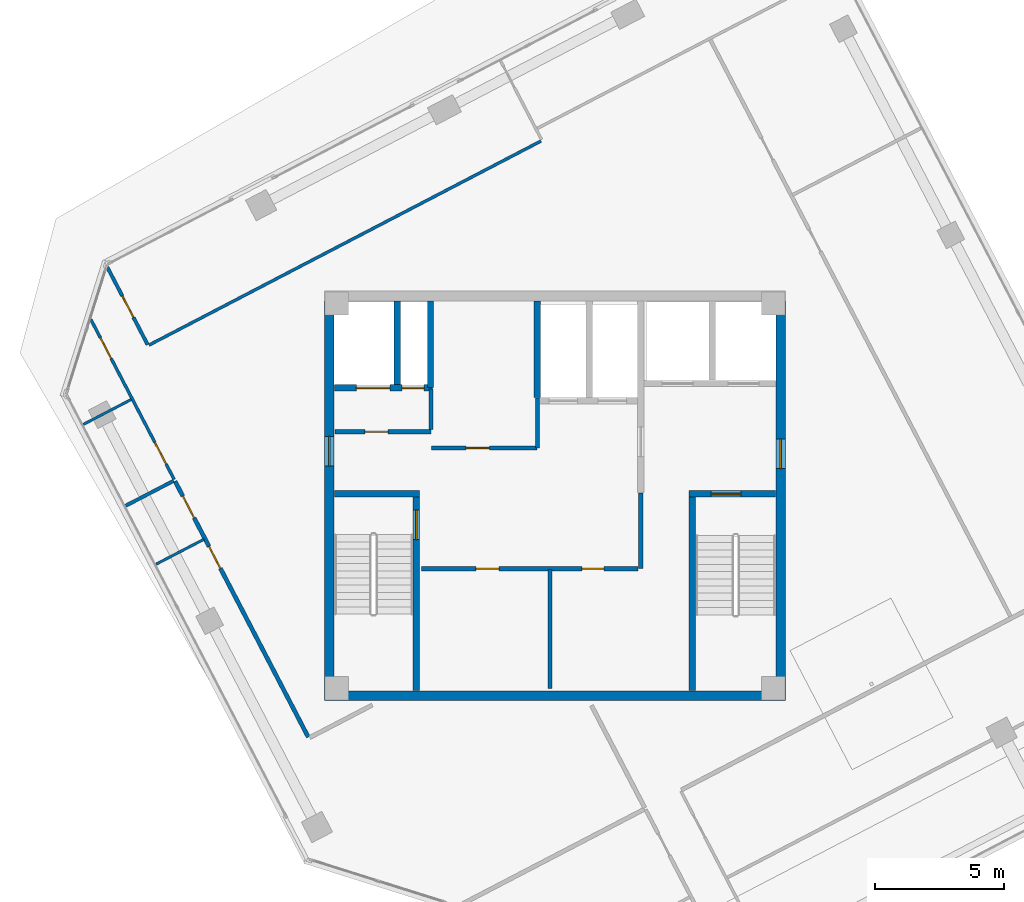
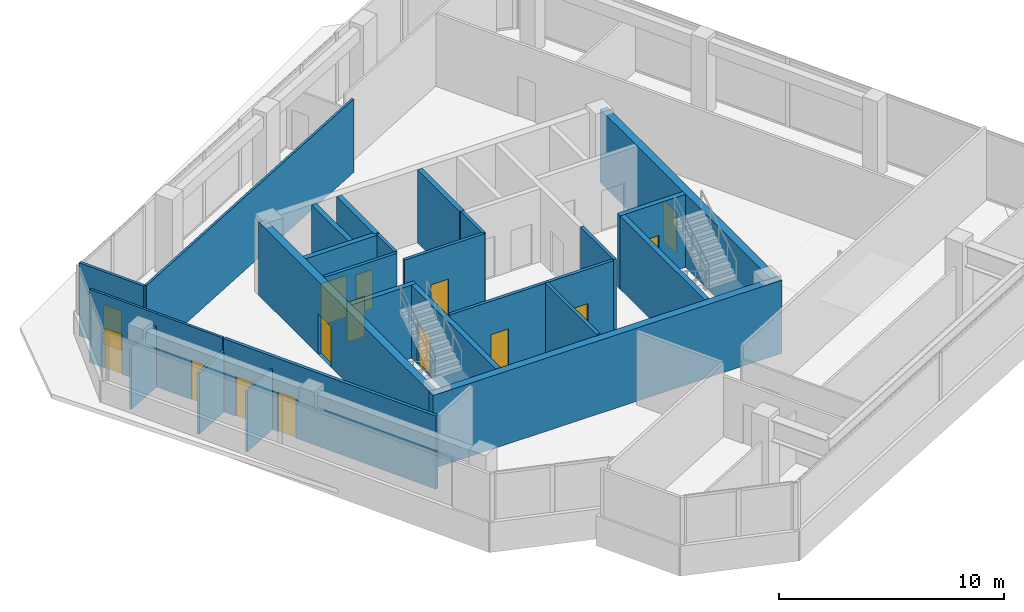
# One storey, part 11 of 16: 25 walls, 15 doors, 15 openings.
"""IFC4 building model written with IfcOpenShell, lengths in metres."""

from ifc_helpers import new_model, si_unit, direction, frame, frame_2d, origin, place, context, subcontext, project, spatial, rectangle, extrude, source, transform, mapped, material, layer, layer_set, type_object, element, fill, save


model = new_model("IFC4")

# Units and contexts
model_context = context("Model", 3, precision=1e-05, world=origin(), true_north=direction((0.0, 1.0)))
body_context = subcontext(model_context, "Body", "Model", "MODEL_VIEW")
ifc_project = project(units=[si_unit("LENGTHUNIT", "METRE"), si_unit("AREAUNIT", "SQUARE_METRE"), si_unit("VOLUMEUNIT", "CUBIC_METRE"), si_unit("PLANEANGLEUNIT", "RADIAN"), si_unit("MASSUNIT", "GRAM", prefix="KILO")], contexts=[model_context])

# Site, building, storey
site_placement = place(None, origin())
site = spatial("IfcSite", under=ifc_project, at=site_placement, CompositionType="ELEMENT")
building_placement = place(site_placement, origin())
building = spatial("IfcBuilding", under=site, at=building_placement, Name="Torre Montelarca", CompositionType="ELEMENT")
storey_placement = place(building_placement, frame((0.0, 0.0, 328.199951171875)))
storey = spatial("IfcBuildingStorey", under=building, at=storey_placement, Name="L74", CompositionType="ELEMENT", Elevation=328.199951171875)

# Wall, opening, door
ifc_material_1 = material(Name="Concrete C40/50", Category="concrete")
ifc_layer_1 = layer(ifc_material_1, 0.25, Name="Concrete C40/50", Category="concrete")
ifc_layer_set_1 = layer_set([ifc_layer_1], Name="Concrete C40/50")
wall_type_1 = type_object("IfcWallType", Name="CW-SHAFT-250", PredefinedType="SHEAR", material=ifc_layer_set_1)
wall_1_placement = place(storey_placement, frame((12.625, 24.4599609375, 0.0), z_axis=(0.0, 0.0, 1.0), x_axis=(0.0, 1.0, 0.0)))
wall_1 = element("IfcWall", 1, at=wall_1_placement, inside=storey, type_object=wall_type_1, Name="L74 Core Shear Wall SH-ST1-E", PredefinedType="SHEAR", context=body_context, shape_type="SweptSolid", body=[
    extrude(rectangle(XDim=7.489990234375, YDim=0.25, at=frame_2d((3.7451171875, 0.0))), origin(), (0.0, 0.0, 1.0), 3.9599609375),
])
opening_1_placement = place(wall_1_placement, frame((5.85009765625, 0.0, 0.0)))
opening_1 = element("IfcOpeningElement", 2, at=opening_1_placement, cuts=wall_1, Name="Opening FD-ST1", PredefinedType="OPENING", context=body_context, shape_type="SweptSolid", body=[
    extrude(rectangle(XDim=1.14990234375, YDim=2.199951171875, at=frame_2d((0.574951171875, 1.10009765625))), frame((0.0, 0.135009765625, 0.0), z_axis=(0.0, -1.0, 0.0), x_axis=(1.0, 0.0, 0.0)), (0.0, 0.0, 1.0), 0.27001953125),
])
ifc_material_2 = material(Name="Galvanized steel fire door", Category="steel")
door_type_1 = type_object("IfcDoorType", Name="DR-STAIR-115", OperationType="NOTDEFINED", PredefinedType="DOOR", material=ifc_material_2)
shared_shape_1 = source(origin(), body_context, "Body", "SweptSolid", [
    extrude(rectangle(XDim=1.14990234375, YDim=2.199951171875, at=frame_2d((0.574951171875, 1.10009765625))), frame((0.0, 0.02490234375, 0.0), z_axis=(0.0, -1.0, 0.0), x_axis=(1.0, 0.0, 0.0)), (0.0, 0.0, 1.0), 0.050048828125),
])
door_1_placement = place(opening_1_placement, origin())
door_1 = element("IfcDoor", 3, at=door_1_placement, inside=storey, type_object=door_type_1, Name="L74 Exit Stair ST1 Fire Door", OperationType="SINGLE_SWING_RIGHT", OverallHeight=2.199951171875, OverallWidth=1.14990234375, PredefinedType="DOOR", context=body_context, shape_type="MappedRepresentation", body=[
    mapped(shared_shape_1, transform((0.0, 0.0, 0.0), scale=1.0)),
])
fill(opening_1, door_1)

# Walls
wall_2_placement = place(storey_placement, frame((9.4599609375, 32.074951171875, 0.0), z_axis=(0.0, 0.0, 1.0), x_axis=(1.0, 0.0, 0.0)))
element("IfcWall", 4, at=wall_2_placement, inside=storey, type_object=wall_type_1, Name="L74 Core Shear Wall SH-ST1-N", PredefinedType="SHEAR", context=body_context, shape_type="SweptSolid", body=[
    extrude(rectangle(XDim=3.2900390625, YDim=0.25, at=frame_2d((1.64501953125, 0.0))), origin(), (0.0, 0.0, 1.0), 3.9599609375),
])
wall_3_placement = place(storey_placement, frame((23.31494140625, 24.4599609375, 0.0), z_axis=(0.0, 0.0, 1.0), x_axis=(0.0, 1.0, 0.0)))
element("IfcWall", 5, at=wall_3_placement, inside=storey, type_object=wall_type_1, Name="L74 Core Shear Wall SH-ST2-W", PredefinedType="SHEAR", context=body_context, shape_type="SweptSolid", body=[
    extrude(rectangle(XDim=7.489990234375, YDim=0.25, at=frame_2d((3.7451171875, 0.0))), origin(), (0.0, 0.0, 1.0), 3.9599609375),
])

# Wall, opening, door
wall_4_placement = place(storey_placement, frame((23.18994140625, 32.074951171875, 0.0), z_axis=(0.0, 0.0, 1.0), x_axis=(1.0, 0.0, 0.0)))
wall_4 = element("IfcWall", 6, at=wall_4_placement, inside=storey, type_object=wall_type_1, Name="L74 Core Shear Wall SH-ST2-N", PredefinedType="SHEAR", context=body_context, shape_type="SweptSolid", body=[
    extrude(rectangle(XDim=3.35009765625, YDim=0.25, at=frame_2d((1.675048828125, 0.0))), origin(), (0.0, 0.0, 1.0), 3.9599609375),
])
opening_2_placement = place(wall_4_placement, frame((0.85009765625, 0.0, 0.0)))
opening_2 = element("IfcOpeningElement", 7, at=opening_2_placement, cuts=wall_4, Name="Opening FD-ST1", PredefinedType="OPENING", context=body_context, shape_type="SweptSolid", body=[
    extrude(rectangle(XDim=1.14990234375, YDim=2.199951171875, at=frame_2d((0.574951171875, 1.10009765625))), frame((0.0, 0.135009765625, 0.0), z_axis=(0.0, -1.0, 0.0), x_axis=(1.0, 0.0, 0.0)), (0.0, 0.0, 1.0), 0.27001953125),
])
door_2_placement = place(opening_2_placement, origin())
door_2 = element("IfcDoor", 8, at=door_2_placement, inside=storey, type_object=door_type_1, Name="L74 Exit Stair ST2 Fire Door", OperationType="SINGLE_SWING_RIGHT", OverallHeight=2.199951171875, OverallWidth=1.14990234375, PredefinedType="DOOR", context=body_context, shape_type="MappedRepresentation", body=[
    mapped(shared_shape_1, transform((0.0, 0.0, 0.0), scale=1.0)),
])
fill(opening_2, door_2)

# Wall, openings, doors
wall_5_placement = place(storey_placement, frame((9.4599609375, 36.179931640625, 0.0), z_axis=(0.0, 0.0, 1.0), x_axis=(1.0, 0.0, 0.0)))
wall_5 = element("IfcWall", 9, at=wall_5_placement, inside=storey, type_object=wall_type_1, Name="L74 Core Shear Wall SH-SV1-S", PredefinedType="SHEAR", context=body_context, shape_type="SweptSolid", body=[
    extrude(rectangle(XDim=3.7900390625, YDim=0.25, at=frame_2d((1.89501953125, 0.0))), origin(), (0.0, 0.0, 1.0), 3.9599609375),
])
opening_3_placement = place(wall_5_placement, frame((2.6201171875, 0.0, 0.0)))
opening_3 = element("IfcOpeningElement", 10, at=opening_3_placement, cuts=wall_5, Name="Opening FD-085", PredefinedType="OPENING", context=body_context, shape_type="SweptSolid", body=[
    extrude(rectangle(XDim=0.85009765625, YDim=2.10009765625, at=frame_2d((0.425048828125, 1.050048828125))), frame((0.0, 0.135009765625, 0.0), z_axis=(0.0, -1.0, 0.0), x_axis=(1.0, 0.0, 0.0)), (0.0, 0.0, 1.0), 0.27001953125),
])
opening_4_placement = place(wall_5_placement, frame((0.85009765625, 0.0, 0.0)))
opening_4 = element("IfcOpeningElement", 11, at=opening_4_placement, cuts=wall_5, Name="Opening LD-130", PredefinedType="OPENING", context=body_context, shape_type="SweptSolid", body=[
    extrude(rectangle(XDim=1.300048828125, YDim=2.25, at=frame_2d((0.64990234375, 1.125))), frame((0.0, 0.135009765625, 0.0), z_axis=(0.0, -1.0, 0.0), x_axis=(1.0, 0.0, 0.0)), (0.0, 0.0, 1.0), 0.27001953125),
])
ifc_material_3 = material(Name="Steel riser access fire door", Category="steel")
door_type_2 = type_object("IfcDoorType", Name="DR-RISER-085", OperationType="NOTDEFINED", PredefinedType="DOOR", material=ifc_material_3)
shared_shape_2 = source(origin(), body_context, "Body", "SweptSolid", [
    extrude(rectangle(XDim=0.85009765625, YDim=2.10009765625, at=frame_2d((0.425048828125, 1.050048828125))), frame((0.0, 0.02490234375, 0.0), z_axis=(0.0, -1.0, 0.0), x_axis=(1.0, 0.0, 0.0)), (0.0, 0.0, 1.0), 0.050048828125),
])
door_3_placement = place(opening_3_placement, origin())
door_3 = element("IfcDoor", 12, at=door_3_placement, inside=storey, type_object=door_type_2, Name="L74 Electrical Riser Shaft Access Door", OperationType="SINGLE_SWING_RIGHT", OverallHeight=2.10009765625, OverallWidth=0.85009765625, PredefinedType="DOOR", context=body_context, shape_type="MappedRepresentation", body=[
    mapped(shared_shape_2, transform((0.0, 0.0, 0.0), scale=1.0)),
])
fill(opening_3, door_3)
ifc_material_4 = material(Name="Brushed stainless steel AISI 316", Category="steel")
door_type_3 = type_object("IfcDoorType", Name="DR-LIFT-130", OperationType="SLIDING_TO_LEFT", PredefinedType="DOOR", material=ifc_material_4)
shared_shape_3 = source(origin(), body_context, "Body", "SweptSolid", [
    extrude(rectangle(XDim=1.300048828125, YDim=2.25, at=frame_2d((0.64990234375, 1.125))), frame((0.0, 0.02490234375, 0.0), z_axis=(0.0, -1.0, 0.0), x_axis=(1.0, 0.0, 0.0)), (0.0, 0.0, 1.0), 0.050048828125),
])
door_4_placement = place(opening_4_placement, origin())
door_4 = element("IfcDoor", 13, at=door_4_placement, inside=storey, type_object=door_type_3, Name="L74 Lift Landing Sliding Door SV-1", OperationType="SLIDING_TO_LEFT", OverallHeight=2.25, OverallWidth=1.300048828125, PredefinedType="DOOR", context=body_context, shape_type="MappedRepresentation", body=[
    mapped(shared_shape_3, transform((0.0, 0.0, 0.0), scale=1.0)),
])
fill(opening_4, door_4)

# Walls
wall_6_placement = place(storey_placement, frame((11.89990234375, 36.31005859375, 0.0), z_axis=(0.0, 0.0, 1.0), x_axis=(0.0, 1.0, 0.0)))
element("IfcWall", 14, at=wall_6_placement, inside=storey, type_object=wall_type_1, Name="L74 Core Shear Wall SH-SV1-E", PredefinedType="SHEAR", context=body_context, shape_type="SweptSolid", body=[
    extrude(rectangle(XDim=3.22998046875, YDim=0.25, at=frame_2d((1.614990234375, 0.0))), origin(), (0.0, 0.0, 1.0), 3.9599609375),
])
wall_7_placement = place(storey_placement, frame((13.179931640625, 36.199951171875, 0.0), z_axis=(0.0, 0.0, 1.0), x_axis=(0.0, 1.0, 0.0)))
element("IfcWall", 15, at=wall_7_placement, inside=storey, type_object=wall_type_1, Name="L74 Core Shear Wall SH-RSR1-E", PredefinedType="SHEAR", context=body_context, shape_type="SweptSolid", body=[
    extrude(rectangle(XDim=3.340087890625, YDim=0.25, at=frame_2d((1.669921875, 0.0))), origin(), (0.0, 0.0, 1.0), 3.9599609375),
])
wall_8_placement = place(storey_placement, frame((17.320068359375, 35.81005859375, 0.0), z_axis=(0.0, 0.0, 1.0), x_axis=(0.0, 1.0, 0.0)))
element("IfcWall", 16, at=wall_8_placement, inside=storey, type_object=wall_type_1, Name="L74 Core Shear Wall SH-PLH-W", PredefinedType="SHEAR", context=body_context, shape_type="SweptSolid", body=[
    extrude(rectangle(XDim=3.72998046875, YDim=0.25, at=frame_2d((1.864990234375, 0.0))), origin(), (0.0, 0.0, 1.0), 3.9599609375),
])

# Wall, opening, door
ifc_layer_2 = layer(ifc_material_1, 0.3798828125, Name="Concrete C40/50", Category="concrete")
ifc_layer_set_2 = layer_set([ifc_layer_2], Name="Concrete C40/50")
wall_type_2 = type_object("IfcWallType", Name="CW-SHEAR-380", PredefinedType="SHEAR", material=ifc_layer_set_2)
wall_9_placement = place(storey_placement, frame((9.260009765625, 24.449951171875, 0.0), z_axis=(0.0, 0.0, 1.0), x_axis=(0.0, 1.0, 0.0)))
wall_9 = element("IfcWall", 17, at=wall_9_placement, inside=storey, type_object=wall_type_2, Name="L74 Core Shear Wall CW-W", PredefinedType="SHEAR", context=body_context, shape_type="SweptSolid", body=[
    extrude(rectangle(XDim=15.10009765625, YDim=0.3798828125, at=frame_2d((7.550048828125, 0.0))), origin(), (0.0, 0.0, 1.0), 3.9599609375),
])
opening_5_placement = place(wall_9_placement, frame((8.699951171875, 0.0, 0.0)))
opening_5 = element("IfcOpeningElement", 18, at=opening_5_placement, cuts=wall_9, Name="Opening FD-LB1", PredefinedType="OPENING", context=body_context, shape_type="SweptSolid", body=[
    extrude(rectangle(XDim=1.14990234375, YDim=2.199951171875, at=frame_2d((0.574951171875, 1.10009765625))), frame((0.0, 0.199951171875, 0.0), z_axis=(0.0, -1.0, 0.0), x_axis=(1.0, 0.0, 0.0)), (0.0, 0.0, 1.0), 0.39990234375),
])
ifc_material_5 = material(Name="Acoustic timber-veneered fire door", Category="wood")
door_type_4 = type_object("IfcDoorType", Name="DR-LOBBY-115", OperationType="NOTDEFINED", PredefinedType="DOOR", material=ifc_material_5)
shared_shape_4 = source(origin(), body_context, "Body", "SweptSolid", [
    extrude(rectangle(XDim=1.14990234375, YDim=2.199951171875, at=frame_2d((0.574951171875, 1.10009765625))), frame((0.0, 0.02490234375, 0.0), z_axis=(0.0, -1.0, 0.0), x_axis=(1.0, 0.0, 0.0)), (0.0, 0.0, 1.0), 0.050048828125),
])
door_5_placement = place(opening_5_placement, origin())
door_5 = element("IfcDoor", 19, at=door_5_placement, inside=storey, type_object=door_type_4, Name="L74 Passenger Lift Lobby West Corridor Fire Door", OperationType="SINGLE_SWING_RIGHT", OverallHeight=2.199951171875, OverallWidth=1.14990234375, PredefinedType="DOOR", context=body_context, shape_type="MappedRepresentation", body=[
    mapped(shared_shape_4, transform((0.0, 0.0, 0.0), scale=1.0)),
])
fill(opening_5, door_5)

wall_10_placement = place(storey_placement, frame((26.739990234375, 24.449951171875, 0.0), z_axis=(0.0, 0.0, 1.0), x_axis=(0.0, 1.0, 0.0)))
wall_10 = element("IfcWall", 20, at=wall_10_placement, inside=storey, type_object=wall_type_2, Name="L74 Core Shear Wall CW-E", PredefinedType="SHEAR", context=body_context, shape_type="SweptSolid", body=[
    extrude(rectangle(XDim=15.10009765625, YDim=0.3798828125, at=frame_2d((7.550048828125, 0.0))), origin(), (0.0, 0.0, 1.0), 3.9599609375),
])
opening_6_placement = place(wall_10_placement, frame((8.60009765625, 0.0, 0.0)))
opening_6 = element("IfcOpeningElement", 21, at=opening_6_placement, cuts=wall_10, Name="Opening FD-LB1", PredefinedType="OPENING", context=body_context, shape_type="SweptSolid", body=[
    extrude(rectangle(XDim=1.14990234375, YDim=2.199951171875, at=frame_2d((0.574951171875, 1.10009765625))), frame((0.0, 0.199951171875, 0.0), z_axis=(0.0, -1.0, 0.0), x_axis=(1.0, 0.0, 0.0)), (0.0, 0.0, 1.0), 0.39990234375),
])
door_6_placement = place(opening_6_placement, origin())
door_6 = element("IfcDoor", 22, at=door_6_placement, inside=storey, type_object=door_type_4, Name="L74 Firefighting Lift Lobby Corridor Fire Door", OperationType="SINGLE_SWING_RIGHT", OverallHeight=2.199951171875, OverallWidth=1.14990234375, PredefinedType="DOOR", context=body_context, shape_type="MappedRepresentation", body=[
    mapped(shared_shape_4, transform((0.0, 0.0, 0.0), scale=1.0)),
])
fill(opening_6, door_6)

# Wall
wall_11_placement = place(storey_placement, frame((9.070068359375, 24.260009765625, 0.0), z_axis=(0.0, 0.0, 1.0), x_axis=(1.0, 0.0, 0.0)))
element("IfcWall", 23, at=wall_11_placement, inside=storey, type_object=wall_type_2, Name="L74 Core Shear Wall CW-S1", PredefinedType="SHEAR", context=body_context, shape_type="SweptSolid", body=[
    extrude(rectangle(XDim=17.85986328125, YDim=0.3798828125, at=frame_2d((8.929931640625, 0.0))), origin(), (0.0, 0.0, 1.0), 3.9599609375),
])

# Wall, opening, door
ifc_material_6 = material(Name="Gypsum plasterboard on steel stud", Category="steel")
ifc_layer_3 = layer(ifc_material_6, 0.159912109375, Name="Gypsum plasterboard on steel stud", Category="steel")
ifc_layer_set_3 = layer_set([ifc_layer_3], Name="Gypsum plasterboard on steel stud")
wall_type_3 = type_object("IfcWallType", Name="PW-FIRE-160", PredefinedType="PARTITIONING", material=ifc_layer_set_3)
wall_12_placement = place(storey_placement, frame((9.489990234375, 34.47998046875, 0.0), z_axis=(0.0, 0.0, 1.0), x_axis=(1.0, 0.0, 0.0)))
wall_12 = element("IfcWall", 24, at=wall_12_placement, inside=storey, type_object=wall_type_3, Name="L74 Interior Partition CW-L74-SVS", PredefinedType="PARTITIONING", context=body_context, shape_type="SweptSolid", body=[
    extrude(rectangle(XDim=3.699951171875, YDim=0.159912109375, at=frame_2d((1.85009765625, 0.0))), origin(), (0.0, 0.0, 1.0), 3.9599609375),
])
opening_7_placement = place(wall_12_placement, frame((1.14990234375, 0.0, 0.0)))
opening_7 = element("IfcOpeningElement", 25, at=opening_7_placement, cuts=wall_12, Name="Opening FD-090", PredefinedType="OPENING", context=body_context, shape_type="SweptSolid", body=[
    extrude(rectangle(XDim=0.89990234375, YDim=2.14990234375, at=frame_2d((0.449951171875, 1.074951171875))), frame((0.0, 0.08984375, 0.0), z_axis=(0.0, -1.0, 0.0), x_axis=(1.0, 0.0, 0.0)), (0.0, 0.0, 1.0), 0.179931640625),
])
ifc_material_7 = material(Name="Steel service fire door", Category="steel")
door_type_5 = type_object("IfcDoorType", Name="DR-FIRE-090", OperationType="NOTDEFINED", PredefinedType="DOOR", material=ifc_material_7)
shared_shape_5 = source(origin(), body_context, "Body", "SweptSolid", [
    extrude(rectangle(XDim=0.89990234375, YDim=2.14990234375, at=frame_2d((0.449951171875, 1.074951171875))), frame((0.0, 0.02490234375, 0.0), z_axis=(0.0, -1.0, 0.0), x_axis=(1.0, 0.0, 0.0)), (0.0, 0.0, 1.0), 0.050048828125),
])
door_7_placement = place(opening_7_placement, origin())
door_7 = element("IfcDoor", 26, at=door_7_placement, inside=storey, type_object=door_type_5, Name="L74 Interior Door 01", OperationType="SINGLE_SWING_RIGHT", OverallHeight=2.14990234375, OverallWidth=0.89990234375, PredefinedType="DOOR", context=body_context, shape_type="MappedRepresentation", body=[
    mapped(shared_shape_5, transform((0.0, 0.0, 0.0), scale=1.0)),
])
fill(opening_7, door_7)

# Wall
wall_13_placement = place(storey_placement, frame((13.199951171875, 34.570068359375, 0.0), z_axis=(0.0, 0.0, 1.0), x_axis=(0.0, 1.0, 0.0)))
element("IfcWall", 27, at=wall_13_placement, inside=storey, type_object=wall_type_3, Name="L74 Interior Partition CW-L74-SVE", PredefinedType="PARTITIONING", context=body_context, shape_type="SweptSolid", body=[
    extrude(rectangle(XDim=1.56982421875, YDim=0.159912109375, at=frame_2d((0.784912109375, 0.0))), origin(), (0.0, 0.0, 1.0), 3.9599609375),
])

# Wall, opening, door
wall_14_placement = place(storey_placement, frame((13.2099609375, 33.85009765625, 0.0), z_axis=(0.0, 0.0, 1.0), x_axis=(1.0, 0.0, 0.0)))
wall_14 = element("IfcWall", 28, at=wall_14_placement, inside=storey, type_object=wall_type_3, Name="L74 Interior Partition CW-L74-FRMS", PredefinedType="PARTITIONING", context=body_context, shape_type="SweptSolid", body=[
    extrude(rectangle(XDim=4.10009765625, YDim=0.159912109375, at=frame_2d((2.050048828125, 0.0))), origin(), (0.0, 0.0, 1.0), 3.9599609375),
])
opening_8_placement = place(wall_14_placement, frame((1.35009765625, 0.0, 0.0)))
opening_8 = element("IfcOpeningElement", 29, at=opening_8_placement, cuts=wall_14, Name="Opening FD-090", PredefinedType="OPENING", context=body_context, shape_type="SweptSolid", body=[
    extrude(rectangle(XDim=0.89990234375, YDim=2.14990234375, at=frame_2d((0.449951171875, 1.074951171875))), frame((0.0, 0.08984375, 0.0), z_axis=(0.0, -1.0, 0.0), x_axis=(1.0, 0.0, 0.0)), (0.0, 0.0, 1.0), 0.179931640625),
])
door_8_placement = place(opening_8_placement, origin())
door_8 = element("IfcDoor", 30, at=door_8_placement, inside=storey, type_object=door_type_5, Name="L74 Interior Door 02", OperationType="SINGLE_SWING_LEFT", OverallHeight=2.14990234375, OverallWidth=0.89990234375, PredefinedType="DOOR", context=body_context, shape_type="MappedRepresentation", body=[
    mapped(shared_shape_5, transform((0.0, 0.0, 0.0), scale=1.0)),
])
fill(opening_8, door_8)

# Wall
wall_15_placement = place(storey_placement, frame((17.320068359375, 33.860107421875, 0.0), z_axis=(0.0, 0.0, 1.0), x_axis=(0.0, 1.0, 0.0)))
element("IfcWall", 31, at=wall_15_placement, inside=storey, type_object=wall_type_3, Name="L74 Interior Partition CW-L74-FRME", PredefinedType="PARTITIONING", context=body_context, shape_type="SweptSolid", body=[
    extrude(rectangle(XDim=1.929931640625, YDim=0.159912109375, at=frame_2d((0.96484375, 0.0))), origin(), (0.0, 0.0, 1.0), 3.9599609375),
])

# Wall, openings, doors
wall_16_placement = place(storey_placement, frame((12.840087890625, 29.179931640625, 0.0), z_axis=(0.0, 0.0, 1.0), x_axis=(1.0, 0.0, 0.0)))
wall_16 = element("IfcWall", 32, at=wall_16_placement, inside=storey, type_object=wall_type_3, Name="L74 Interior Partition CW-L74-FRDN", PredefinedType="PARTITIONING", context=body_context, shape_type="SweptSolid", body=[
    extrude(rectangle(XDim=8.369873046875, YDim=0.159912109375, at=frame_2d((4.18505859375, 0.0))), origin(), (0.0, 0.0, 1.0), 3.9599609375),
])
opening_9_placement = place(wall_16_placement, frame((2.10009765625, 0.0, 0.0)))
opening_9 = element("IfcOpeningElement", 33, at=opening_9_placement, cuts=wall_16, Name="Opening FD-090", PredefinedType="OPENING", context=body_context, shape_type="SweptSolid", body=[
    extrude(rectangle(XDim=0.89990234375, YDim=2.14990234375, at=frame_2d((0.449951171875, 1.074951171875))), frame((0.0, 0.08984375, 0.0), z_axis=(0.0, -1.0, 0.0), x_axis=(1.0, 0.0, 0.0)), (0.0, 0.0, 1.0), 0.179931640625),
])
opening_10_placement = place(wall_16_placement, frame((6.199951171875, 0.0, 0.0)))
opening_10 = element("IfcOpeningElement", 34, at=opening_10_placement, cuts=wall_16, Name="Opening FD-085", PredefinedType="OPENING", context=body_context, shape_type="SweptSolid", body=[
    extrude(rectangle(XDim=0.85009765625, YDim=2.10009765625, at=frame_2d((0.425048828125, 1.050048828125))), frame((0.0, 0.08984375, 0.0), z_axis=(0.0, -1.0, 0.0), x_axis=(1.0, 0.0, 0.0)), (0.0, 0.0, 1.0), 0.179931640625),
])
door_9_placement = place(opening_10_placement, origin())
door_9 = element("IfcDoor", 35, at=door_9_placement, inside=storey, type_object=door_type_2, Name="L74 Interior Door 04", OperationType="SINGLE_SWING_LEFT", OverallHeight=2.10009765625, OverallWidth=0.85009765625, PredefinedType="DOOR", context=body_context, shape_type="MappedRepresentation", body=[
    mapped(shared_shape_2, transform((0.0, 0.0, 0.0), scale=1.0)),
])
fill(opening_10, door_9)
door_10_placement = place(opening_9_placement, origin())
door_10 = element("IfcDoor", 36, at=door_10_placement, inside=storey, type_object=door_type_5, Name="L74 Interior Door 03", OperationType="SINGLE_SWING_RIGHT", OverallHeight=2.14990234375, OverallWidth=0.89990234375, PredefinedType="DOOR", context=body_context, shape_type="MappedRepresentation", body=[
    mapped(shared_shape_5, transform((0.0, 0.0, 0.0), scale=1.0)),
])
fill(opening_9, door_10)

# Walls
wall_17_placement = place(storey_placement, frame((17.800048828125, 24.5400390625, 0.0), z_axis=(0.0, 0.0, 1.0), x_axis=(0.0, 1.0, 0.0)))
element("IfcWall", 37, at=wall_17_placement, inside=storey, type_object=wall_type_3, Name="L74 Interior Partition CW-L74-FRD1", PredefinedType="PARTITIONING", context=body_context, shape_type="SweptSolid", body=[
    extrude(rectangle(XDim=4.599853515625, YDim=0.159912109375, at=frame_2d((2.2998046875, 0.0))), origin(), (0.0, 0.0, 1.0), 3.9599609375),
])
wall_18_placement = place(storey_placement, frame((21.320068359375, 29.18994140625, 0.0), z_axis=(0.0, 0.0, 1.0), x_axis=(0.0, 1.0, 0.0)))
element("IfcWall", 38, at=wall_18_placement, inside=storey, type_object=wall_type_3, Name="L74 Interior Partition CW-L74-FRE", PredefinedType="PARTITIONING", context=body_context, shape_type="SweptSolid", body=[
    extrude(rectangle(XDim=2.920166015625, YDim=0.159912109375, at=frame_2d((1.4599609375, 0.0))), origin(), (0.0, 0.0, 1.0), 3.9599609375),
])

# Wall, openings, doors
wall_19_placement = place(storey_placement, frame((3.291259765625, 32.566162109375, 0.0), z_axis=(0.0, 0.0, 1.0), x_axis=(0.461745644878, -0.887012378401, 0.0)))
wall_19 = element("IfcWall", 39, at=wall_19_placement, inside=storey, type_object=wall_type_3, Name="L74 Interior Partition W-L74-SOCCN", PredefinedType="PARTITIONING", context=body_context, shape_type="SweptSolid", body=[
    extrude(rectangle(XDim=11.169921875, YDim=0.159912109375, at=frame_2d((5.5849609375, 0.0))), origin(), (0.0, 0.0, 1.0), 3.9599609375),
])
opening_11_placement = place(wall_19_placement, frame((0.64990234375, 0.0, 0.0)))
opening_11 = element("IfcOpeningElement", 40, at=opening_11_placement, cuts=wall_19, Name="Opening FD-095", PredefinedType="OPENING", context=body_context, shape_type="SweptSolid", body=[
    extrude(rectangle(XDim=0.949951171875, YDim=2.14990234375, at=frame_2d((0.47509765625, 1.074951171875))), frame((0.0, 0.08984375, 0.0), z_axis=(0.0, -1.0, 0.0), x_axis=(1.0, 0.0, 0.0)), (0.0, 0.0, 1.0), 0.179931640625),
])
opening_12_placement = place(wall_19_placement, frame((2.85009765625, 0.0, 0.0)))
opening_12 = element("IfcOpeningElement", 41, at=opening_12_placement, cuts=wall_19, Name="Opening FD-095", PredefinedType="OPENING", context=body_context, shape_type="SweptSolid", body=[
    extrude(rectangle(XDim=0.949951171875, YDim=2.14990234375, at=frame_2d((0.47509765625, 1.074951171875))), frame((0.0, 0.08984375, 0.0), z_axis=(0.0, -1.0, 0.0), x_axis=(1.0, 0.0, 0.0)), (0.0, 0.0, 1.0), 0.179931640625),
])
ifc_material_8 = material(Name="Timber fire-rated room door", Category="wood")
door_type_6 = type_object("IfcDoorType", Name="DR-FIRE-095", OperationType="NOTDEFINED", PredefinedType="DOOR", material=ifc_material_8)
shared_shape_6 = source(origin(), body_context, "Body", "SweptSolid", [
    extrude(rectangle(XDim=0.949951171875, YDim=2.14990234375, at=frame_2d((0.47509765625, 1.074951171875))), frame((0.0, 0.02490234375, 0.0), z_axis=(0.0, -1.0, 0.0), x_axis=(1.0, 0.0, 0.0)), (0.0, 0.0, 1.0), 0.050048828125),
])
door_11_placement = place(opening_11_placement, origin())
door_11 = element("IfcDoor", 42, at=door_11_placement, inside=storey, type_object=door_type_6, Name="L74 Interior Door 07", OperationType="SINGLE_SWING_RIGHT", OverallHeight=2.14990234375, OverallWidth=0.949951171875, PredefinedType="DOOR", context=body_context, shape_type="MappedRepresentation", body=[
    mapped(shared_shape_6, transform((0.0, 0.0, 0.0), scale=1.0)),
])
fill(opening_11, door_11)
door_12_placement = place(opening_12_placement, origin())
door_12 = element("IfcDoor", 43, at=door_12_placement, inside=storey, type_object=door_type_6, Name="L74 Interior Door 08", OperationType="SINGLE_SWING_LEFT", OverallHeight=2.14990234375, OverallWidth=0.949951171875, PredefinedType="DOOR", context=body_context, shape_type="MappedRepresentation", body=[
    mapped(shared_shape_6, transform((0.0, 0.0, 0.0), scale=1.0)),
])
fill(opening_12, door_12)

# Walls
ifc_material_9 = material(Name="Acoustic laminated glass partition", Category="glass")
ifc_layer_4 = layer(ifc_material_9, 0.10009765625, Name="Acoustic laminated glass partition", Category="glass")
ifc_layer_set_4 = layer_set([ifc_layer_4], Name="Acoustic laminated glass partition")
wall_type_4 = type_object("IfcWallType", Name="PW-GLAZ-100", PredefinedType="PARTITIONING", material=ifc_layer_set_4)
wall_20_placement = place(storey_placement, frame((-0.255859375, 34.76708984375, 0.0), z_axis=(0.0, 0.0, 1.0), x_axis=(0.887042679543, 0.461687431786, 0.0)))
element("IfcWall", 44, at=wall_20_placement, inside=storey, type_object=wall_type_4, Name="L74 Interior Partition W-L74-WCD", PredefinedType="PARTITIONING", context=body_context, shape_type="SweptSolid", body=[
    extrude(rectangle(XDim=2.08984375, YDim=0.10009765625, at=frame_2d((1.044921875, 0.0))), origin(), (0.0, 0.0, 1.0), 3.295166015625),
])
wall_21_placement = place(storey_placement, frame((2.560791015625, 29.356201171875, 0.0), z_axis=(0.0, 0.0, 1.0), x_axis=(0.887019740079, 0.461731502835, 0.0)))
element("IfcWall", 45, at=wall_21_placement, inside=storey, type_object=wall_type_4, Name="L74 Interior Partition W-L74-SWDIV74", PredefinedType="PARTITIONING", context=body_context, shape_type="SweptSolid", body=[
    extrude(rectangle(XDim=2.090087890625, YDim=0.10009765625, at=frame_2d((1.044921875, 0.0))), origin(), (0.0, 0.0, 1.0), 3.295166015625),
])

# Wall, openings, doors
ifc_layer_5 = layer(ifc_material_6, 0.114990234375, Name="Gypsum plasterboard on steel stud", Category="steel")
ifc_layer_set_5 = layer_set([ifc_layer_5], Name="Gypsum plasterboard on steel stud")
wall_type_5 = type_object("IfcWallType", Name="PW-PART-115", PredefinedType="PARTITIONING", material=ifc_layer_set_5)
wall_22_placement = place(storey_placement, frame((0.030517578125, 38.830078125, 0.0), z_axis=(0.0, 0.0, 1.0), x_axis=(0.461729249278, -0.887020913147, 0.0)))
wall_22 = element("IfcWall", 46, at=wall_22_placement, inside=storey, type_object=wall_type_5, Name="L74 Interior Partition W-L74-WCN", PredefinedType="PARTITIONING", context=body_context, shape_type="SweptSolid", body=[
    extrude(rectangle(XDim=6.981689453125, YDim=0.114990234375, at=frame_2d((3.49072265625, 0.0))), origin(), (0.0, 0.0, 1.0), 3.9599609375),
])
opening_13_placement = place(wall_22_placement, frame((0.800048828125, 0.0, 0.0)))
opening_13 = element("IfcOpeningElement", 47, at=opening_13_placement, cuts=wall_22, Name="Opening ID-090", PredefinedType="OPENING", context=body_context, shape_type="SweptSolid", body=[
    extrude(rectangle(XDim=0.89990234375, YDim=2.14990234375, at=frame_2d((0.449951171875, 1.074951171875))), frame((0.0, 0.0673828125, 0.0), z_axis=(0.0, -1.0, 0.0), x_axis=(1.0, 0.0, 0.0)), (0.0, 0.0, 1.0), 0.135009765625),
])
opening_14_placement = place(wall_22_placement, frame((5.360107421875, 0.0, 0.0)))
opening_14 = element("IfcOpeningElement", 48, at=opening_14_placement, cuts=wall_22, Name="Opening ID-095", PredefinedType="OPENING", context=body_context, shape_type="SweptSolid", body=[
    extrude(rectangle(XDim=0.949951171875, YDim=2.14990234375, at=frame_2d((0.47509765625, 1.074951171875))), frame((0.0, 0.0673828125, 0.0), z_axis=(0.0, -1.0, 0.0), x_axis=(1.0, 0.0, 0.0)), (0.0, 0.0, 1.0), 0.135009765625),
])
ifc_material_10 = material(Name="Hardwood acoustic timber veneer", Category="wood")
door_type_7 = type_object("IfcDoorType", Name="DR-INT-090", OperationType="NOTDEFINED", PredefinedType="DOOR", material=ifc_material_10)
shared_shape_7 = source(origin(), body_context, "Body", "SweptSolid", [
    extrude(rectangle(XDim=0.89990234375, YDim=2.14990234375, at=frame_2d((0.449951171875, 1.074951171875))), frame((0.0, 0.02490234375, 0.0), z_axis=(0.0, -1.0, 0.0), x_axis=(1.0, 0.0, 0.0)), (0.0, 0.0, 1.0), 0.050048828125),
])
door_13_placement = place(opening_13_placement, origin())
door_13 = element("IfcDoor", 49, at=door_13_placement, inside=storey, type_object=door_type_7, Name="L74 Interior Door 05", OperationType="SINGLE_SWING_LEFT", OverallHeight=2.14990234375, OverallWidth=0.89990234375, PredefinedType="DOOR", context=body_context, shape_type="MappedRepresentation", body=[
    mapped(shared_shape_7, transform((0.0, 0.0, 0.0), scale=1.0)),
])
fill(opening_13, door_13)
door_type_8 = type_object("IfcDoorType", Name="DR-INT-095", OperationType="NOTDEFINED", PredefinedType="DOOR", material=ifc_material_10)
shared_shape_8 = source(origin(), body_context, "Body", "SweptSolid", [
    extrude(rectangle(XDim=0.949951171875, YDim=2.14990234375, at=frame_2d((0.47509765625, 1.074951171875))), frame((0.0, 0.02490234375, 0.0), z_axis=(0.0, -1.0, 0.0), x_axis=(1.0, 0.0, 0.0)), (0.0, 0.0, 1.0), 0.050048828125),
])
door_14_placement = place(opening_14_placement, origin())
door_14 = element("IfcDoor", 50, at=door_14_placement, inside=storey, type_object=door_type_8, Name="L74 Interior Door 06", OperationType="SINGLE_SWING_RIGHT", OverallHeight=2.14990234375, OverallWidth=0.949951171875, PredefinedType="DOOR", context=body_context, shape_type="MappedRepresentation", body=[
    mapped(shared_shape_8, transform((0.0, 0.0, 0.0), scale=1.0)),
])
fill(opening_14, door_14)

# Walls
wall_23_placement = place(storey_placement, frame((2.28369140625, 37.83642578125, 0.0), z_axis=(0.0, 0.0, 1.0), x_axis=(0.887016973522, 0.461736817553, 0.0)))
element("IfcWall", 51, at=wall_23_placement, inside=storey, type_object=wall_type_5, Name="L74 Interior Partition W-L74-WPKE", PredefinedType="PARTITIONING", context=body_context, shape_type="SweptSolid", body=[
    extrude(rectangle(XDim=17.110107421875, YDim=0.114990234375, at=frame_2d((8.55517578125, 0.0))), origin(), (0.0, 0.0, 1.0), 3.9599609375),
])
ifc_layer_6 = layer(ifc_material_6, 0.135009765625, Name="Gypsum plasterboard on steel stud", Category="steel")
ifc_layer_set_6 = layer_set([ifc_layer_6], Name="Gypsum plasterboard on steel stud")
wall_type_6 = type_object("IfcWallType", Name="PW-PART-135", PredefinedType="PARTITIONING", material=ifc_layer_set_6)
wall_24_placement = place(storey_placement, frame((1.38330078125, 31.6181640625, 0.0), z_axis=(0.0, 0.0, 1.0), x_axis=(0.887067577271, 0.461639592491, 0.0)))
element("IfcWall", 52, at=wall_24_placement, inside=storey, type_object=wall_type_6, Name="L74 Interior Partition W-L74-SWCDIV", PredefinedType="PARTITIONING", context=body_context, shape_type="SweptSolid", body=[
    extrude(rectangle(XDim=2.090087890625, YDim=0.135009765625, at=frame_2d((1.044921875, 0.0))), origin(), (0.0, 0.0, 1.0), 3.295166015625),
])

# Wall, opening, door
wall_25_placement = place(storey_placement, frame((0.668212890625, 40.853271484375, 0.0), z_axis=(0.0, 0.0, 1.0), x_axis=(0.461736835827, -0.887016964009, 0.0)))
wall_25 = element("IfcWall", 53, at=wall_25_placement, inside=storey, type_object=wall_type_6, Name="L74 Interior Partition W-L74-WPKS", PredefinedType="PARTITIONING", context=body_context, shape_type="SweptSolid", body=[
    extrude(rectangle(XDim=3.3818359375, YDim=0.135009765625, at=frame_2d((1.69091796875, 0.0))), origin(), (0.0, 0.0, 1.0), 3.9599609375),
])
opening_15_placement = place(wall_25_placement, frame((1.25, 0.0, 0.0)))
opening_15 = element("IfcOpeningElement", 54, at=opening_15_placement, cuts=wall_25, Name="Opening ID-095", PredefinedType="OPENING", context=body_context, shape_type="SweptSolid", body=[
    extrude(rectangle(XDim=0.949951171875, YDim=2.14990234375, at=frame_2d((0.47509765625, 1.074951171875))), frame((0.0, 0.07763671875, 0.0), z_axis=(0.0, -1.0, 0.0), x_axis=(1.0, 0.0, 0.0)), (0.0, 0.0, 1.0), 0.155029296875),
])
door_15_placement = place(opening_15_placement, origin())
door_15 = element("IfcDoor", 55, at=door_15_placement, inside=storey, type_object=door_type_8, Name="L74 Interior Door 11", OperationType="SINGLE_SWING_LEFT", OverallHeight=2.14990234375, OverallWidth=0.949951171875, PredefinedType="DOOR", context=body_context, shape_type="MappedRepresentation", body=[
    mapped(shared_shape_8, transform((0.0, 0.0, 0.0), scale=1.0)),
])
fill(opening_15, door_15)

save(model, "model.ifc")
